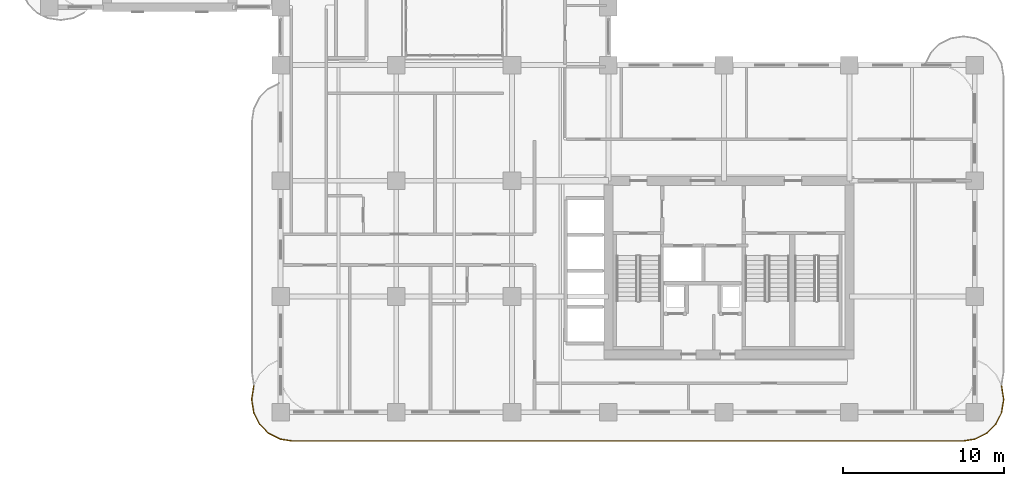
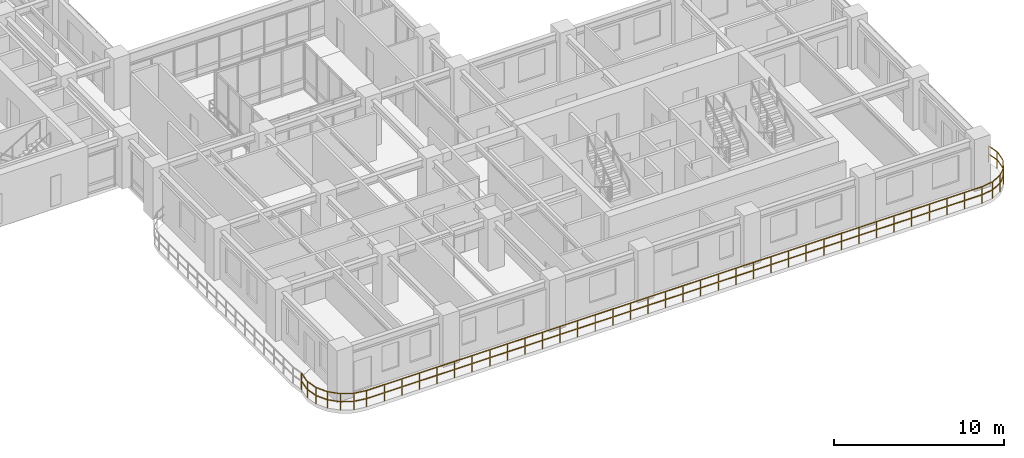
# One storey, part 16 of 19: 1 railing.
"""IFC4 building model written with IfcOpenShell, lengths in metres."""

from ifc_helpers import new_model, si_unit, derived_unit, direction, frame, origin, origin_2d, place, context, subcontext, project, spatial, rectangle, extrude, material, type_object, element, save


model = new_model("IFC4")

# Units and contexts
model_context = context("Model", 3, precision=1e-05, world=origin(), true_north=direction((0.0, 1.0)))
body_context = subcontext(model_context, "Body", "Model", "MODEL_VIEW")
ifc_project = project(units=[si_unit("LENGTHUNIT", "METRE"), si_unit("AREAUNIT", "SQUARE_METRE"), si_unit("VOLUMEUNIT", "CUBIC_METRE"), si_unit("PLANEANGLEUNIT", "RADIAN"), si_unit("MASSUNIT", "GRAM", prefix="KILO"), si_unit("THERMODYNAMICTEMPERATUREUNIT", "KELVIN"), si_unit("POWERUNIT", "WATT"), derived_unit("THERMALTRANSMITTANCEUNIT", [(si_unit("POWERUNIT", "WATT"), 1), (si_unit("AREAUNIT", "SQUARE_METRE"), -1), (si_unit("THERMODYNAMICTEMPERATUREUNIT", "KELVIN"), -1)])], contexts=[model_context])

# Site, building, storey
site_placement = place(None, origin())
site = spatial("IfcSite", under=ifc_project, at=site_placement, CompositionType="ELEMENT")
building_placement = place(site_placement, origin())
building = spatial("IfcBuilding", under=site, at=building_placement, Name="Zahravan Archway Hotel and Residences", CompositionType="ELEMENT")
storey_placement = place(building_placement, frame((0.0, 0.0, 102.699951171875)))
storey = spatial("IfcBuildingStorey", under=building, at=storey_placement, Name="L25", CompositionType="ELEMENT", Elevation=102.699951171875)

# Railing
ifc_material = material(Name="Bronze & Laminated Glass Balustrade", Category="glass")
railing_type = type_object("IfcRailingType", Name="RL-BAL-1200", PredefinedType="BALUSTRADE", material=ifc_material)
railing_placement = place(storey_placement, frame((59.275146484375, 1.637939453125, 0.0)))
element("IfcRailing", 1, at=railing_placement, inside=storey, type_object=railing_type, Name="L25 Balustrade RL-SLB-BAL-L25-SA-1", PredefinedType="BALUSTRADE", context=body_context, shape_type="SweptSolid", body=[
    extrude(rectangle(XDim=0.048095703125, YDim=0.048095703125, at=origin_2d()), frame((0.0, 0.0, 1.17578125), z_axis=(0.156402639467, -0.987693380745, 0.0), x_axis=(0.987693380745, 0.156402639467, 0.0)), (0.0, 0.0, 1.0), 0.797607421875),
    extrude(rectangle(XDim=0.048095703125, YDim=0.048095703125, at=origin_2d()), frame((0.0, 0.0, 0.60009765625), z_axis=(0.156402639467, -0.987693380745, 0.0), x_axis=(0.987693380745, 0.156402639467, 0.0)), (0.0, 0.0, 1.0), 0.797607421875),
    extrude(rectangle(XDim=0.048095703125, YDim=0.048095703125, at=origin_2d()), frame((0.124755859375, -0.787841796875, 1.17578125), z_axis=(0.0, -1.0, 0.0), x_axis=(1.0, 0.0, 0.0)), (0.0, 0.0, 1.0), 0.10009765625),
    extrude(rectangle(XDim=0.048095703125, YDim=0.048095703125, at=origin_2d()), frame((0.124755859375, -0.787841796875, 0.60009765625), z_axis=(0.0, -1.0, 0.0), x_axis=(1.0, 0.0, 0.0)), (0.0, 0.0, 1.0), 0.10009765625),
    extrude(rectangle(XDim=0.048095703125, YDim=0.048095703125, at=origin_2d()), frame((0.124755859375, -0.887939453125, 1.17578125), z_axis=(-0.156355372278, -0.987700864412, 0.0), x_axis=(0.987700864412, -0.156355372278, 0.0)), (0.0, 0.0, 1.0), 0.7978515625),
    extrude(rectangle(XDim=0.048095703125, YDim=0.048095703125, at=origin_2d()), frame((0.124755859375, -0.887939453125, 0.60009765625), z_axis=(-0.156355372278, -0.987700864412, 0.0), x_axis=(0.987700864412, -0.156355372278, 0.0)), (0.0, 0.0, 1.0), 0.7978515625),
    extrude(rectangle(XDim=0.048095703125, YDim=0.048095703125, at=origin_2d()), frame((0.0, -1.676025390625, 1.17578125), z_axis=(-0.453934952053, -0.891034824967, 0.0), x_axis=(0.891034824967, -0.453934952053, 0.0)), (0.0, 0.0, 1.0), 0.797607421875),
    extrude(rectangle(XDim=0.048095703125, YDim=0.048095703125, at=origin_2d()), frame((0.0, -1.676025390625, 0.60009765625), z_axis=(-0.453934952053, -0.891034824967, 0.0), x_axis=(0.891034824967, -0.453934952053, 0.0)), (0.0, 0.0, 1.0), 0.797607421875),
    extrude(rectangle(XDim=0.048095703125, YDim=0.048095703125, at=origin_2d()), frame((-0.362060546875, -2.38671875, 1.17578125), z_axis=(-0.707106781187, -0.707106781187, 0.0), x_axis=(0.707106781187, -0.707106781187, 0.0)), (0.0, 0.0, 1.0), 0.7978515625),
    extrude(rectangle(XDim=0.048095703125, YDim=0.048095703125, at=origin_2d()), frame((-0.362060546875, -2.38671875, 0.60009765625), z_axis=(-0.707106781187, -0.707106781187, 0.0), x_axis=(0.707106781187, -0.707106781187, 0.0)), (0.0, 0.0, 1.0), 0.7978515625),
    extrude(rectangle(XDim=0.048095703125, YDim=0.048095703125, at=origin_2d()), frame((-0.92626953125, -2.950927734375, 1.17578125), z_axis=(-0.890974108706, -0.454054113091, 0.0), x_axis=(0.454054113091, -0.890974108706, 0.0)), (0.0, 0.0, 1.0), 0.7978515625),
    extrude(rectangle(XDim=0.048095703125, YDim=0.048095703125, at=origin_2d()), frame((-0.92626953125, -2.950927734375, 0.60009765625), z_axis=(-0.890974108706, -0.454054113091, 0.0), x_axis=(0.454054113091, -0.890974108706, 0.0)), (0.0, 0.0, 1.0), 0.7978515625),
    extrude(rectangle(XDim=0.048095703125, YDim=0.048095703125, at=origin_2d()), frame((-1.63720703125, -3.313232421875, 1.17578125), z_axis=(-0.987693380745, -0.156402639467, 0.0), x_axis=(0.156402639467, -0.987693380745, 0.0)), (0.0, 0.0, 1.0), 0.797607421875),
    extrude(rectangle(XDim=0.048095703125, YDim=0.048095703125, at=origin_2d()), frame((-1.63720703125, -3.313232421875, 0.60009765625), z_axis=(-0.987693380745, -0.156402639467, 0.0), x_axis=(0.156402639467, -0.987693380745, 0.0)), (0.0, 0.0, 1.0), 0.797607421875),
    extrude(rectangle(XDim=0.048095703125, YDim=0.048095703125, at=origin_2d()), frame((-2.425048828125, -3.43798828125, 1.17578125), z_axis=(-1.0, 0.0, 0.0), x_axis=(0.0, -1.0, 0.0)), (0.0, 0.0, 1.0), 41.7001953125),
    extrude(rectangle(XDim=0.048095703125, YDim=0.048095703125, at=origin_2d()), frame((-2.425048828125, -3.43798828125, 0.60009765625), z_axis=(-1.0, 0.0, 0.0), x_axis=(0.0, -1.0, 0.0)), (0.0, 0.0, 1.0), 41.7001953125),
    extrude(rectangle(XDim=0.048095703125, YDim=0.048095703125, at=origin_2d()), frame((-44.125244140625, -3.43798828125, 1.17578125), z_axis=(-0.987693380745, 0.156402639467, 0.0), x_axis=(-0.156402639467, -0.987693380745, 0.0)), (0.0, 0.0, 1.0), 0.797607421875),
    extrude(rectangle(XDim=0.048095703125, YDim=0.048095703125, at=origin_2d()), frame((-44.125244140625, -3.43798828125, 0.60009765625), z_axis=(-0.987693380745, 0.156402639467, 0.0), x_axis=(-0.156402639467, -0.987693380745, 0.0)), (0.0, 0.0, 1.0), 0.797607421875),
    extrude(rectangle(XDim=0.048095703125, YDim=0.048095703125, at=origin_2d()), frame((-44.9130859375, -3.313232421875, 1.17578125), z_axis=(-0.890974108706, 0.454054113091, 0.0), x_axis=(-0.454054113091, -0.890974108706, 0.0)), (0.0, 0.0, 1.0), 0.7978515625),
    extrude(rectangle(XDim=0.048095703125, YDim=0.048095703125, at=origin_2d()), frame((-44.9130859375, -3.313232421875, 0.60009765625), z_axis=(-0.890974108706, 0.454054113091, 0.0), x_axis=(-0.454054113091, -0.890974108706, 0.0)), (0.0, 0.0, 1.0), 0.7978515625),
    extrude(rectangle(XDim=0.048095703125, YDim=0.048095703125, at=origin_2d()), frame((-45.6240234375, -2.950927734375, 1.17578125), z_axis=(-0.707106781187, 0.707106781187, 0.0), x_axis=(-0.707106781187, -0.707106781187, 0.0)), (0.0, 0.0, 1.0), 0.7978515625),
    extrude(rectangle(XDim=0.048095703125, YDim=0.048095703125, at=origin_2d()), frame((-45.6240234375, -2.950927734375, 0.60009765625), z_axis=(-0.707106781187, 0.707106781187, 0.0), x_axis=(-0.707106781187, -0.707106781187, 0.0)), (0.0, 0.0, 1.0), 0.7978515625),
    extrude(rectangle(XDim=0.048095703125, YDim=0.048095703125, at=origin_2d()), frame((-46.188232421875, -2.38671875, 1.17578125), z_axis=(-0.453934952053, 0.891034824967, 0.0), x_axis=(-0.891034824967, -0.453934952053, 0.0)), (0.0, 0.0, 1.0), 0.797607421875),
    extrude(rectangle(XDim=0.048095703125, YDim=0.048095703125, at=origin_2d()), frame((-46.188232421875, -2.38671875, 0.60009765625), z_axis=(-0.453934952053, 0.891034824967, 0.0), x_axis=(-0.891034824967, -0.453934952053, 0.0)), (0.0, 0.0, 1.0), 0.797607421875),
    extrude(rectangle(XDim=0.048095703125, YDim=0.048095703125, at=origin_2d()), frame((-46.55029296875, -1.676025390625, 1.17578125), z_axis=(-0.156355372278, 0.987700864412, 0.0), x_axis=(-0.987700864412, -0.156355372278, 0.0)), (0.0, 0.0, 1.0), 0.7978515625),
    extrude(rectangle(XDim=0.048095703125, YDim=0.048095703125, at=origin_2d()), frame((-46.55029296875, -1.676025390625, 0.60009765625), z_axis=(-0.156355372278, 0.987700864412, 0.0), x_axis=(-0.987700864412, -0.156355372278, 0.0)), (0.0, 0.0, 1.0), 0.7978515625),
    extrude(rectangle(XDim=0.048095703125, YDim=0.048095703125, at=origin_2d()), frame((-46.675048828125, -0.887939453125, 1.17578125), z_axis=(0.0, 1.0, 0.0), x_axis=(-1.0, 0.0, 0.0)), (0.0, 0.0, 1.0), 0.10009765625),
    extrude(rectangle(XDim=0.048095703125, YDim=0.048095703125, at=origin_2d()), frame((-46.675048828125, -0.887939453125, 0.60009765625), z_axis=(0.0, 1.0, 0.0), x_axis=(-1.0, 0.0, 0.0)), (0.0, 0.0, 1.0), 0.10009765625),
    extrude(rectangle(XDim=0.048095703125, YDim=0.048095703125, at=origin_2d()), frame((-46.675048828125, -0.787841796875, 1.17578125), z_axis=(0.156402639467, 0.987693380745, 0.0), x_axis=(-0.987693380745, 0.156402639467, 0.0)), (0.0, 0.0, 1.0), 0.797607421875),
    extrude(rectangle(XDim=0.048095703125, YDim=0.048095703125, at=origin_2d()), frame((-46.675048828125, -0.787841796875, 0.60009765625), z_axis=(0.156402639467, 0.987693380745, 0.0), x_axis=(-0.987693380745, 0.156402639467, 0.0)), (0.0, 0.0, 1.0), 0.797607421875),
    extrude(rectangle(XDim=0.0419921875, YDim=0.0419921875, at=origin_2d()), origin(), (0.0, 0.0, 1.0), 1.15185546875),
    extrude(rectangle(XDim=0.0419921875, YDim=0.0419921875, at=origin_2d()), frame((0.124755859375, -0.787841796875, 0.0)), (0.0, 0.0, 1.0), 1.15185546875),
    extrude(rectangle(XDim=0.0419921875, YDim=0.0419921875, at=origin_2d()), frame((0.0, -1.676025390625, 0.0)), (0.0, 0.0, 1.0), 1.15185546875),
    extrude(rectangle(XDim=0.0419921875, YDim=0.0419921875, at=origin_2d()), frame((-0.362060546875, -2.38671875, 0.0)), (0.0, 0.0, 1.0), 1.15185546875),
    extrude(rectangle(XDim=0.0419921875, YDim=0.0419921875, at=origin_2d()), frame((-0.92626953125, -2.950927734375, 0.0)), (0.0, 0.0, 1.0), 1.15185546875),
    extrude(rectangle(XDim=0.0419921875, YDim=0.0419921875, at=origin_2d()), frame((-1.63720703125, -3.313232421875, 0.0)), (0.0, 0.0, 1.0), 1.15185546875),
    extrude(rectangle(XDim=0.0419921875, YDim=0.0419921875, at=origin_2d()), frame((-2.425048828125, -3.43798828125, 0.0)), (0.0, 0.0, 1.0), 1.15185546875),
    extrude(rectangle(XDim=0.0419921875, YDim=0.0419921875, at=origin_2d()), frame((-3.616455078125, -3.43798828125, 0.0)), (0.0, 0.0, 1.0), 1.15185546875),
    extrude(rectangle(XDim=0.0419921875, YDim=0.0419921875, at=origin_2d()), frame((-4.807861328125, -3.43798828125, 0.0)), (0.0, 0.0, 1.0), 1.15185546875),
    extrude(rectangle(XDim=0.0419921875, YDim=0.0419921875, at=origin_2d()), frame((-5.999267578125, -3.43798828125, 0.0)), (0.0, 0.0, 1.0), 1.15185546875),
    extrude(rectangle(XDim=0.0419921875, YDim=0.0419921875, at=origin_2d()), frame((-7.190673828125, -3.43798828125, 0.0)), (0.0, 0.0, 1.0), 1.15185546875),
    extrude(rectangle(XDim=0.0419921875, YDim=0.0419921875, at=origin_2d()), frame((-8.38232421875, -3.43798828125, 0.0)), (0.0, 0.0, 1.0), 1.15185546875),
    extrude(rectangle(XDim=0.0419921875, YDim=0.0419921875, at=origin_2d()), frame((-9.57373046875, -3.43798828125, 0.0)), (0.0, 0.0, 1.0), 1.15185546875),
    extrude(rectangle(XDim=0.0419921875, YDim=0.0419921875, at=origin_2d()), frame((-10.76513671875, -3.43798828125, 0.0)), (0.0, 0.0, 1.0), 1.15185546875),
    extrude(rectangle(XDim=0.0419921875, YDim=0.0419921875, at=origin_2d()), frame((-11.95654296875, -3.43798828125, 0.0)), (0.0, 0.0, 1.0), 1.15185546875),
    extrude(rectangle(XDim=0.0419921875, YDim=0.0419921875, at=origin_2d()), frame((-13.14794921875, -3.43798828125, 0.0)), (0.0, 0.0, 1.0), 1.15185546875),
    extrude(rectangle(XDim=0.0419921875, YDim=0.0419921875, at=origin_2d()), frame((-14.33935546875, -3.43798828125, 0.0)), (0.0, 0.0, 1.0), 1.15185546875),
    extrude(rectangle(XDim=0.0419921875, YDim=0.0419921875, at=origin_2d()), frame((-15.53076171875, -3.43798828125, 0.0)), (0.0, 0.0, 1.0), 1.15185546875),
    extrude(rectangle(XDim=0.0419921875, YDim=0.0419921875, at=origin_2d()), frame((-16.72216796875, -3.43798828125, 0.0)), (0.0, 0.0, 1.0), 1.15185546875),
    extrude(rectangle(XDim=0.0419921875, YDim=0.0419921875, at=origin_2d()), frame((-17.91357421875, -3.43798828125, 0.0)), (0.0, 0.0, 1.0), 1.15185546875),
    extrude(rectangle(XDim=0.0419921875, YDim=0.0419921875, at=origin_2d()), frame((-19.105224609375, -3.43798828125, 0.0)), (0.0, 0.0, 1.0), 1.15185546875),
    extrude(rectangle(XDim=0.0419921875, YDim=0.0419921875, at=origin_2d()), frame((-20.296630859375, -3.43798828125, 0.0)), (0.0, 0.0, 1.0), 1.15185546875),
    extrude(rectangle(XDim=0.0419921875, YDim=0.0419921875, at=origin_2d()), frame((-21.488037109375, -3.43798828125, 0.0)), (0.0, 0.0, 1.0), 1.15185546875),
    extrude(rectangle(XDim=0.0419921875, YDim=0.0419921875, at=origin_2d()), frame((-22.679443359375, -3.43798828125, 0.0)), (0.0, 0.0, 1.0), 1.15185546875),
    extrude(rectangle(XDim=0.0419921875, YDim=0.0419921875, at=origin_2d()), frame((-23.870849609375, -3.43798828125, 0.0)), (0.0, 0.0, 1.0), 1.15185546875),
    extrude(rectangle(XDim=0.0419921875, YDim=0.0419921875, at=origin_2d()), frame((-25.062255859375, -3.43798828125, 0.0)), (0.0, 0.0, 1.0), 1.15185546875),
    extrude(rectangle(XDim=0.0419921875, YDim=0.0419921875, at=origin_2d()), frame((-26.253662109375, -3.43798828125, 0.0)), (0.0, 0.0, 1.0), 1.15185546875),
    extrude(rectangle(XDim=0.0419921875, YDim=0.0419921875, at=origin_2d()), frame((-27.445068359375, -3.43798828125, 0.0)), (0.0, 0.0, 1.0), 1.15185546875),
    extrude(rectangle(XDim=0.0419921875, YDim=0.0419921875, at=origin_2d()), frame((-28.63671875, -3.43798828125, 0.0)), (0.0, 0.0, 1.0), 1.15185546875),
    extrude(rectangle(XDim=0.0419921875, YDim=0.0419921875, at=origin_2d()), frame((-29.828125, -3.43798828125, 0.0)), (0.0, 0.0, 1.0), 1.15185546875),
    extrude(rectangle(XDim=0.0419921875, YDim=0.0419921875, at=origin_2d()), frame((-31.01953125, -3.43798828125, 0.0)), (0.0, 0.0, 1.0), 1.15185546875),
    extrude(rectangle(XDim=0.0419921875, YDim=0.0419921875, at=origin_2d()), frame((-32.2109375, -3.43798828125, 0.0)), (0.0, 0.0, 1.0), 1.15185546875),
    extrude(rectangle(XDim=0.0419921875, YDim=0.0419921875, at=origin_2d()), frame((-33.40234375, -3.43798828125, 0.0)), (0.0, 0.0, 1.0), 1.15185546875),
    extrude(rectangle(XDim=0.0419921875, YDim=0.0419921875, at=origin_2d()), frame((-34.59375, -3.43798828125, 0.0)), (0.0, 0.0, 1.0), 1.15185546875),
    extrude(rectangle(XDim=0.0419921875, YDim=0.0419921875, at=origin_2d()), frame((-35.78515625, -3.43798828125, 0.0)), (0.0, 0.0, 1.0), 1.15185546875),
    extrude(rectangle(XDim=0.0419921875, YDim=0.0419921875, at=origin_2d()), frame((-36.9765625, -3.43798828125, 0.0)), (0.0, 0.0, 1.0), 1.15185546875),
    extrude(rectangle(XDim=0.0419921875, YDim=0.0419921875, at=origin_2d()), frame((-38.16796875, -3.43798828125, 0.0)), (0.0, 0.0, 1.0), 1.15185546875),
    extrude(rectangle(XDim=0.0419921875, YDim=0.0419921875, at=origin_2d()), frame((-39.359619140625, -3.43798828125, 0.0)), (0.0, 0.0, 1.0), 1.15185546875),
    extrude(rectangle(XDim=0.0419921875, YDim=0.0419921875, at=origin_2d()), frame((-40.551025390625, -3.43798828125, 0.0)), (0.0, 0.0, 1.0), 1.15185546875),
    extrude(rectangle(XDim=0.0419921875, YDim=0.0419921875, at=origin_2d()), frame((-41.742431640625, -3.43798828125, 0.0)), (0.0, 0.0, 1.0), 1.15185546875),
    extrude(rectangle(XDim=0.0419921875, YDim=0.0419921875, at=origin_2d()), frame((-42.933837890625, -3.43798828125, 0.0)), (0.0, 0.0, 1.0), 1.15185546875),
    extrude(rectangle(XDim=0.0419921875, YDim=0.0419921875, at=origin_2d()), frame((-44.125244140625, -3.43798828125, 0.0)), (0.0, 0.0, 1.0), 1.15185546875),
    extrude(rectangle(XDim=0.0419921875, YDim=0.0419921875, at=origin_2d()), frame((-44.9130859375, -3.313232421875, 0.0)), (0.0, 0.0, 1.0), 1.15185546875),
    extrude(rectangle(XDim=0.0419921875, YDim=0.0419921875, at=origin_2d()), frame((-45.6240234375, -2.950927734375, 0.0)), (0.0, 0.0, 1.0), 1.15185546875),
    extrude(rectangle(XDim=0.0419921875, YDim=0.0419921875, at=origin_2d()), frame((-46.188232421875, -2.38671875, 0.0)), (0.0, 0.0, 1.0), 1.15185546875),
    extrude(rectangle(XDim=0.0419921875, YDim=0.0419921875, at=origin_2d()), frame((-46.55029296875, -1.676025390625, 0.0)), (0.0, 0.0, 1.0), 1.15185546875),
    extrude(rectangle(XDim=0.0419921875, YDim=0.0419921875, at=origin_2d()), frame((-46.675048828125, -0.887939453125, 0.0)), (0.0, 0.0, 1.0), 1.15185546875),
    extrude(rectangle(XDim=0.0419921875, YDim=0.0419921875, at=origin_2d()), frame((-46.55029296875, 0.0, 0.0)), (0.0, 0.0, 1.0), 1.15185546875),
])

save(model, "model.ifc")
